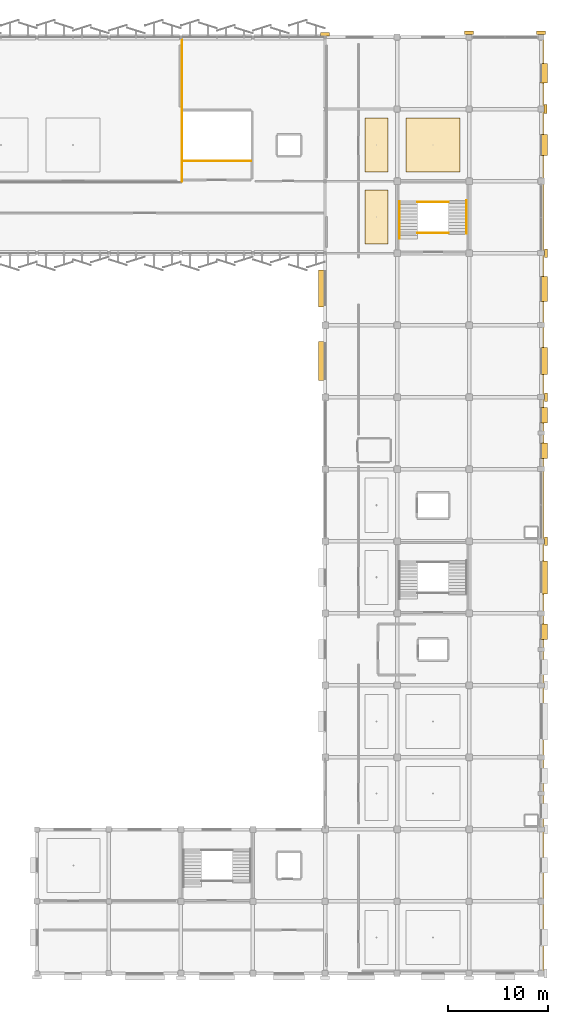
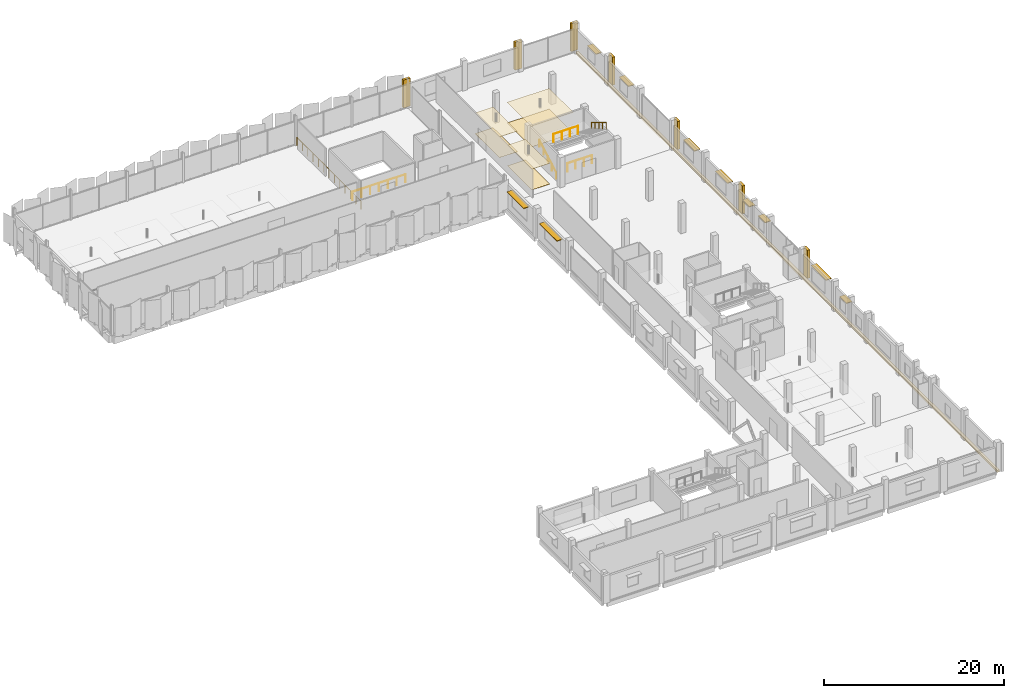
# One storey, part 77 of 77: 14 coverings, 10 shading devices, 6 railings.
"""IFC4 building model written with IfcOpenShell, lengths in metres."""

from ifc_helpers import new_model, si_unit, direction, frame, origin, origin_2d, place, context, subcontext, project, spatial, polyline, rectangle, circle, outline, extrude, material, layer, layer_set, type_object, element, save


model = new_model("IFC4")

# Units and contexts
model_context = context("Model", 3, precision=1e-05, world=origin(), true_north=direction((0.0, 1.0)))
body_context = subcontext(model_context, "Body", "Model", "MODEL_VIEW")
ifc_project = project(units=[si_unit("LENGTHUNIT", "METRE"), si_unit("AREAUNIT", "SQUARE_METRE"), si_unit("VOLUMEUNIT", "CUBIC_METRE"), si_unit("PLANEANGLEUNIT", "RADIAN"), si_unit("MASSUNIT", "GRAM", prefix="KILO")], contexts=[model_context])

# Site, building, storey
site_placement = place(None, origin())
site = spatial("IfcSite", under=ifc_project, at=site_placement, CompositionType="ELEMENT")
building_placement = place(site_placement, origin())
building = spatial("IfcBuilding", under=site, at=building_placement, Name="Kangsadwip Square Police Headquarters", CompositionType="ELEMENT")
storey_placement = place(building_placement, frame((0.0, 0.0, 17.550048828125)))
storey = spatial("IfcBuildingStorey", under=building, at=storey_placement, Name="L04", CompositionType="ELEMENT", Elevation=17.550048828125)

# Railings
ifc_material_1 = material(Name="Structural steel IS 2062 E250 (Grade 250, 250 MPa)", Category="steel")
railing_type_1 = type_object("IfcRailingType", Name="BalustradeGuard1100", PredefinedType="BALUSTRADE", material=ifc_material_1)
for number, where, name in (
    (1, (153.22998046875, 95.639892578125, 0.0), "Stair Guard ST-04 L04-122"),
    (2, (153.22998046875, 98.719970703125, 2.10595703125), "Stair Guard ST-04 L04-123"),
):
    element("IfcRailing", number, at=place(storey_placement, frame(where)), inside=storey, type_object=railing_type_1, Name=name, PredefinedType="BALUSTRADE", context=body_context, shape_type="SweptSolid", body=[
        extrude(circle(Radius=0.02392578125, at=origin_2d()), frame((0.0, 0.0, 1.09619140625), z_axis=(1.0, 0.0, 0.0), x_axis=(0.0, 1.0, 0.0)), (0.0, 0.0, 1.0), 3.14013671875),
        extrude(circle(Radius=0.02099609375, at=origin_2d()), origin(), (0.0, 0.0, 1.0), 1.072021484375),
        extrude(circle(Radius=0.02099609375, at=origin_2d()), frame((1.046630859375, 0.0, 0.0)), (0.0, 0.0, 1.0), 1.072021484375),
        extrude(circle(Radius=0.02099609375, at=origin_2d()), frame((2.093505859375, 0.0, 0.0)), (0.0, 0.0, 1.0), 1.072021484375),
        extrude(circle(Radius=0.02099609375, at=origin_2d()), frame((3.14013671875, 0.0, 0.0)), (0.0, 0.0, 1.0), 1.072021484375),
    ])
railing_1_placement = place(storey_placement, frame((129.800048828125, 102.800048828125, 0.0)))
element("IfcRailing", 3, at=railing_1_placement, inside=storey, type_object=railing_type_1, Name="Top Stairwell Guard ST-05 L04", PredefinedType="BALUSTRADE", context=body_context, shape_type="SweptSolid", body=[
    extrude(circle(Radius=0.02392578125, at=origin_2d()), frame((0.0, 0.0, 1.09619140625), z_axis=(1.0, 0.0, 0.0), x_axis=(0.0, 1.0, 0.0)), (0.0, 0.0, 1.0), 6.800048828125),
    extrude(circle(Radius=0.02099609375, at=origin_2d()), origin(), (0.0, 0.0, 1.0), 1.072021484375),
    extrude(circle(Radius=0.02099609375, at=origin_2d()), frame((1.13330078125, 0.0, 0.0)), (0.0, 0.0, 1.0), 1.072021484375),
    extrude(circle(Radius=0.02099609375, at=origin_2d()), frame((2.2666015625, 0.0, 0.0)), (0.0, 0.0, 1.0), 1.072021484375),
    extrude(circle(Radius=0.02099609375, at=origin_2d()), frame((3.39990234375, 0.0, 0.0)), (0.0, 0.0, 1.0), 1.072021484375),
    extrude(circle(Radius=0.02099609375, at=origin_2d()), frame((4.533447265625, 0.0, 0.0)), (0.0, 0.0, 1.0), 1.072021484375),
    extrude(circle(Radius=0.02099609375, at=origin_2d()), frame((5.666748046875, 0.0, 0.0)), (0.0, 0.0, 1.0), 1.072021484375),
    extrude(circle(Radius=0.02099609375, at=origin_2d()), frame((6.800048828125, 0.0, 0.0)), (0.0, 0.0, 1.0), 1.072021484375),
])
railing_2_placement = place(storey_placement, frame((129.719970703125, 100.75, 0.0)))
element("IfcRailing", 4, at=railing_2_placement, inside=storey, type_object=railing_type_1, Name="Atrium Gallery Balustrade GR-GAL-VOL2-E", PredefinedType="BALUSTRADE", context=body_context, shape_type="SweptSolid", body=[
    extrude(circle(Radius=0.02392578125, at=origin_2d()), frame((0.0, 0.0, 1.09619140625), z_axis=(0.0, 1.0, 0.0), x_axis=(-1.0, 0.0, 0.0)), (0.0, 0.0, 1.0), 14.25),
    extrude(circle(Radius=0.02099609375, at=origin_2d()), origin(), (0.0, 0.0, 1.0), 1.072021484375),
    extrude(circle(Radius=0.02099609375, at=origin_2d()), frame((0.0, 1.1875, 0.0)), (0.0, 0.0, 1.0), 1.072021484375),
    extrude(circle(Radius=0.02099609375, at=origin_2d()), frame((0.0, 2.375, 0.0)), (0.0, 0.0, 1.0), 1.072021484375),
    extrude(circle(Radius=0.02099609375, at=origin_2d()), frame((0.0, 3.5625, 0.0)), (0.0, 0.0, 1.0), 1.072021484375),
    extrude(circle(Radius=0.02099609375, at=origin_2d()), frame((0.0, 4.75, 0.0)), (0.0, 0.0, 1.0), 1.072021484375),
    extrude(circle(Radius=0.02099609375, at=origin_2d()), frame((0.0, 5.9375, 0.0)), (0.0, 0.0, 1.0), 1.072021484375),
    extrude(circle(Radius=0.02099609375, at=origin_2d()), frame((0.0, 7.125, 0.0)), (0.0, 0.0, 1.0), 1.072021484375),
    extrude(circle(Radius=0.02099609375, at=origin_2d()), frame((0.0, 8.3125, 0.0)), (0.0, 0.0, 1.0), 1.072021484375),
    extrude(circle(Radius=0.02099609375, at=origin_2d()), frame((0.0, 9.5, 0.0)), (0.0, 0.0, 1.0), 1.072021484375),
    extrude(circle(Radius=0.02099609375, at=origin_2d()), frame((0.0, 10.6875, 0.0)), (0.0, 0.0, 1.0), 1.072021484375),
    extrude(circle(Radius=0.02099609375, at=origin_2d()), frame((0.0, 11.875, 0.0)), (0.0, 0.0, 1.0), 1.072021484375),
    extrude(circle(Radius=0.02099609375, at=origin_2d()), frame((0.0, 13.0625, 0.0)), (0.0, 0.0, 1.0), 1.072021484375),
    extrude(circle(Radius=0.02099609375, at=origin_2d()), frame((0.0, 14.25, 0.0)), (0.0, 0.0, 1.0), 1.072021484375),
])

# Coverings
ifc_material_2 = material(Name="Seamless anti-static epoxy and polished Kota stone interior flooring", Category="masonry")
ifc_layer_1 = layer(ifc_material_2, 0.02001953125)
ifc_layer_set_1 = layer_set([ifc_layer_1], Name="Seamless anti-static epoxy and polished Kota stone interior flooring")
covering_type_1 = type_object("IfcCoveringType", Name="InteriorStoneEpoxyFloor", PredefinedType="FLOORING", material=ifc_layer_set_1)
covering_1_placement = place(storey_placement, origin())
element("IfcCovering", 5, at=covering_1_placement, inside=storey, type_object=covering_type_1, Name="Interior Floor Finish L04-140", PredefinedType="FLOORING", context=body_context, shape_type="SweptSolid", body=[
    extrude(outline(polyline([(148.0, 94.5), (150.300048828125, 94.5), (150.300048828125, 99.89990234375), (148.0, 99.89990234375), (148.0, 94.5)])), origin(), (0.0, 0.0, 1.0), 0.02001953125),
])
covering_2_placement = place(storey_placement, origin())
element("IfcCovering", 6, at=covering_2_placement, inside=storey, type_object=covering_type_1, Name="Interior Floor Finish L04-141", PredefinedType="FLOORING", context=body_context, shape_type="SweptSolid", body=[
    extrude(outline(polyline([(148.0, 101.699951171875), (150.300048828125, 101.699951171875), (150.300048828125, 107.10009765625), (148.0, 107.10009765625), (148.0, 101.699951171875)])), origin(), (0.0, 0.0, 1.0), 0.02001953125),
])
covering_3_placement = place(storey_placement, origin())
element("IfcCovering", 7, at=covering_3_placement, inside=storey, type_object=covering_type_1, Name="Interior Floor Finish L04-142", PredefinedType="FLOORING", context=body_context, shape_type="SweptSolid", body=[
    extrude(outline(polyline([(152.10009765625, 101.699951171875), (157.5, 101.699951171875), (157.5, 107.10009765625), (152.10009765625, 107.10009765625), (152.10009765625, 101.699951171875)])), origin(), (0.0, 0.0, 1.0), 0.02001953125),
])

# Railings
ifc_material_3 = material(Name="Structural steel IS 2062 E250 (Grade 250, 250 MPa)", Category="steel")
railing_type_2 = type_object("IfcRailingType", Name="StairPitchHandrail900", PredefinedType="HANDRAIL", material=ifc_material_3)
railing_3_placement = place(storey_placement, frame((151.43994140625, 95.0400390625, 0.0)))
element("IfcRailing", 8, at=railing_3_placement, inside=storey, type_object=railing_type_2, Name="Stair Handrail ST-04 L04-124", PredefinedType="HANDRAIL", context=body_context, shape_type="SweptSolid", body=[
    extrude(circle(Radius=0.02392578125, at=origin_2d()), frame((0.0, 0.0, 0.8759765625), z_axis=(0.0, 0.870225440575, 0.492653714668), x_axis=(-1.0, 0.0, 0.0)), (0.0, 0.0, 1.0), 4.274658203125),
    extrude(circle(Radius=0.02099609375, at=origin_2d()), origin(), (0.0, 0.0, 1.0), 0.851806640625),
    extrude(circle(Radius=0.02099609375, at=origin_2d()), frame((0.0, 0.929931640625, 0.5263671875)), (0.0, 0.0, 1.0), 0.851806640625),
    extrude(circle(Radius=0.02099609375, at=origin_2d()), frame((0.0, 1.85986328125, 1.052978515625)), (0.0, 0.0, 1.0), 0.851806640625),
    extrude(circle(Radius=0.02099609375, at=origin_2d()), frame((0.0, 2.7900390625, 1.57958984375)), (0.0, 0.0, 1.0), 0.851806640625),
    extrude(circle(Radius=0.02099609375, at=origin_2d()), frame((0.0, 3.719970703125, 2.10595703125)), (0.0, 0.0, 1.0), 0.851806640625),
])
railing_4_placement = place(storey_placement, frame((158.159912109375, 98.860107421875, 2.10595703125)))
element("IfcRailing", 9, at=railing_4_placement, inside=storey, type_object=railing_type_2, Name="Stair Handrail ST-04 L04-125", PredefinedType="HANDRAIL", context=body_context, shape_type="SweptSolid", body=[
    extrude(circle(Radius=0.02392578125, at=origin_2d()), frame((0.0, 0.0, 0.8759765625), z_axis=(0.0, -0.860248887005, 0.509874349626), x_axis=(1.0, 0.0, 0.0)), (0.0, 0.0, 1.0), 3.81298828125),
    extrude(circle(Radius=0.02099609375, at=origin_2d()), origin(), (0.0, 0.0, 1.0), 0.851806640625),
    extrude(circle(Radius=0.02099609375, at=origin_2d()), frame((0.0, -0.820068359375, 0.486083984375)), (0.0, 0.0, 1.0), 0.851806640625),
    extrude(circle(Radius=0.02099609375, at=origin_2d()), frame((0.0, -1.64013671875, 0.97216796875)), (0.0, 0.0, 1.0), 0.851806640625),
    extrude(circle(Radius=0.02099609375, at=origin_2d()), frame((0.0, -2.4599609375, 1.4580078125)), (0.0, 0.0, 1.0), 0.851806640625),
    extrude(circle(Radius=0.02099609375, at=origin_2d()), frame((0.0, -3.280029296875, 1.944091796875)), (0.0, 0.0, 1.0), 0.851806640625),
])

# Coverings
ifc_material_4 = material(Name="Perforated mineral-fibre and acoustic baffle suspended ceiling", Category="wood")
ifc_layer_2 = layer(ifc_material_4, 0.02490234375)
ifc_layer_set_2 = layer_set([ifc_layer_2], Name="Perforated mineral-fibre and acoustic baffle suspended ceiling")
covering_type_2 = type_object("IfcCoveringType", Name="SuspendedAcousticCeiling", PredefinedType="CEILING", material=ifc_layer_set_2)
covering_4_placement = place(storey_placement, frame((0.0, 0.0, 2.800048828125)))
element("IfcCovering", 10, at=covering_4_placement, inside=storey, type_object=covering_type_2, Name="Suspended Acoustic Ceiling L04-140", PredefinedType="CEILING", context=body_context, shape_type="SweptSolid", body=[
    extrude(outline(polyline([(148.0, 94.5), (150.300048828125, 94.5), (150.300048828125, 99.89990234375), (148.0, 99.89990234375), (148.0, 94.5)])), origin(), (0.0, 0.0, 1.0), 0.02490234375),
])
covering_5_placement = place(storey_placement, frame((0.0, 0.0, 2.800048828125)))
element("IfcCovering", 11, at=covering_5_placement, inside=storey, type_object=covering_type_2, Name="Suspended Acoustic Ceiling L04-141", PredefinedType="CEILING", context=body_context, shape_type="SweptSolid", body=[
    extrude(outline(polyline([(148.0, 101.699951171875), (150.300048828125, 101.699951171875), (150.300048828125, 107.10009765625), (148.0, 107.10009765625), (148.0, 101.699951171875)])), origin(), (0.0, 0.0, 1.0), 0.02490234375),
])
covering_6_placement = place(storey_placement, frame((0.0, 0.0, 2.800048828125)))
element("IfcCovering", 12, at=covering_6_placement, inside=storey, type_object=covering_type_2, Name="Suspended Acoustic Ceiling L04-142", PredefinedType="CEILING", context=body_context, shape_type="SweptSolid", body=[
    extrude(outline(polyline([(152.10009765625, 101.699951171875), (157.5, 101.699951171875), (157.5, 107.10009765625), (152.10009765625, 107.10009765625), (152.10009765625, 101.699951171875)])), origin(), (0.0, 0.0, 1.0), 0.02490234375),
])
ifc_material_5 = material(Name="Glazed architectural terracotta masonry rainscreen", Category="masonry")
ifc_layer_3 = layer(ifc_material_5, 0.034912109375)
ifc_layer_set_3 = layer_set([ifc_layer_3], Name="Glazed architectural terracotta masonry rainscreen")
covering_type_3 = type_object("IfcCoveringType", Name="TerracottaPierCladding", PredefinedType="CLADDING", material=ifc_layer_set_3)
covering_7_placement = place(storey_placement, origin())
element("IfcCovering", 13, at=covering_7_placement, inside=storey, type_object=covering_type_3, Name="Terracotta Pier Cladding L04-113", PredefinedType="CLADDING", context=body_context, shape_type="SweptSolid", body=[
    extrude(outline(polyline([(165.929931640625, 64.360107421875), (166.25, 64.360107421875), (166.25, 65.239990234375), (165.929931640625, 65.239990234375), (165.929931640625, 64.360107421875)])), origin(), (0.0, 0.0, 1.0), 3.800048828125),
])
covering_8_placement = place(storey_placement, origin())
element("IfcCovering", 14, at=covering_8_placement, inside=storey, type_object=covering_type_3, Name="Terracotta Pier Cladding L04-114", PredefinedType="CLADDING", context=body_context, shape_type="SweptSolid", body=[
    extrude(outline(polyline([(165.929931640625, 78.760009765625), (166.25, 78.760009765625), (166.25, 79.639892578125), (165.929931640625, 79.639892578125), (165.929931640625, 78.760009765625)])), origin(), (0.0, 0.0, 1.0), 3.800048828125),
])
covering_9_placement = place(storey_placement, origin())
element("IfcCovering", 15, at=covering_9_placement, inside=storey, type_object=covering_type_3, Name="Terracotta Pier Cladding L04-115", PredefinedType="CLADDING", context=body_context, shape_type="SweptSolid", body=[
    extrude(outline(polyline([(165.929931640625, 93.159912109375), (166.25, 93.159912109375), (166.25, 94.0400390625), (165.929931640625, 94.0400390625), (165.929931640625, 93.159912109375)])), origin(), (0.0, 0.0, 1.0), 3.800048828125),
])
covering_10_placement = place(storey_placement, origin())
element("IfcCovering", 16, at=covering_10_placement, inside=storey, type_object=covering_type_3, Name="Terracotta Pier Cladding L04-116", PredefinedType="CLADDING", context=body_context, shape_type="SweptSolid", body=[
    extrude(outline(polyline([(165.8798828125, 107.56005859375), (166.199951171875, 107.56005859375), (166.199951171875, 108.43994140625), (165.8798828125, 108.43994140625), (165.8798828125, 107.56005859375)])), origin(), (0.0, 0.0, 1.0), 3.800048828125),
])
covering_11_placement = place(storey_placement, origin())
element("IfcCovering", 17, at=covering_11_placement, inside=storey, type_object=covering_type_3, Name="Terracotta Pier Cladding L04-117", PredefinedType="CLADDING", context=body_context, shape_type="SweptSolid", body=[
    extrude(outline(polyline([(143.56005859375, 115.330078125), (144.43994140625, 115.330078125), (144.43994140625, 115.64990234375), (143.56005859375, 115.64990234375), (143.56005859375, 115.330078125)])), origin(), (0.0, 0.0, 1.0), 3.800048828125),
])
covering_12_placement = place(storey_placement, origin())
element("IfcCovering", 18, at=covering_12_placement, inside=storey, type_object=covering_type_3, Name="Terracotta Pier Cladding L04-118", PredefinedType="CLADDING", context=body_context, shape_type="SweptSolid", body=[
    extrude(outline(polyline([(157.9599609375, 115.47998046875), (158.840087890625, 115.47998046875), (158.840087890625, 115.800048828125), (157.9599609375, 115.800048828125), (157.9599609375, 115.47998046875)])), origin(), (0.0, 0.0, 1.0), 3.800048828125),
])
covering_13_placement = place(storey_placement, origin())
element("IfcCovering", 19, at=covering_13_placement, inside=storey, type_object=covering_type_3, Name="Terracotta Pier Cladding L04-119", PredefinedType="CLADDING", context=body_context, shape_type="SweptSolid", body=[
    extrude(outline(polyline([(165.159912109375, 115.47998046875), (166.0400390625, 115.47998046875), (166.0400390625, 115.800048828125), (165.159912109375, 115.800048828125), (165.159912109375, 115.47998046875)])), origin(), (0.0, 0.0, 1.0), 3.800048828125),
])
covering_14_placement = place(storey_placement, frame((0.0, 0.0, -0.239990234375)))
element("IfcCovering", 20, at=covering_14_placement, inside=storey, type_object=covering_type_3, Name="Terracotta Cornice Belt L04-158", PredefinedType="CLADDING", context=body_context, shape_type="SweptSolid", body=[
    extrude(outline(polyline([(165.580078125, 21.60009765625), (165.89990234375, 21.60009765625), (165.89990234375, 115.199951171875), (165.580078125, 115.199951171875), (165.580078125, 21.60009765625)])), origin(), (0.0, 0.0, 1.0), 0.260009765625),
])

# Shading devices
ifc_material_6 = material(Name="Architectural terracotta and anodised aluminium AW-6061-T6", Category="aluminium")
shading_device_type = type_object("IfcShadingDeviceType", Name="TerracottaChhajjaAwning", PredefinedType="AWNING", material=ifc_material_6)
shading_device_1_placement = place(storey_placement, frame((143.699951171875, 82.800048828125, 2.9150390625), z_axis=(0.0, 0.0, 1.0), x_axis=(0.0, 1.0, 0.0)))
element("IfcShadingDevice", 21, at=shading_device_1_placement, inside=storey, type_object=shading_device_type, Name="Terracotta Chhajja Hood CHJ-L04-0240", PredefinedType="AWNING", context=body_context, shape_type="SweptSolid", body=[
    extrude(rectangle(XDim=3.89990234375, YDim=0.719970703125, at=origin_2d()), origin(), (0.0, 0.0, 1.0), 0.090087890625),
])
shading_device_2_placement = place(storey_placement, frame((143.699951171875, 90.08349609375, 2.86474609375), z_axis=(0.0, 0.0, 1.0), x_axis=(0.0, 1.0, 0.0)))
element("IfcShadingDevice", 22, at=shading_device_2_placement, inside=storey, type_object=shading_device_type, Name="Terracotta Chhajja Hood CHJ-L04-0241", PredefinedType="AWNING", context=body_context, shape_type="SweptSolid", body=[
    extrude(rectangle(XDim=3.699951171875, YDim=0.719970703125, at=origin_2d()), origin(), (0.0, 0.0, 1.0), 0.090087890625),
])
shading_device_3_placement = place(storey_placement, frame((165.89990234375, 55.77490234375, 2.36474609375), z_axis=(0.0, 0.0, 1.0), x_axis=(0.0, 1.0, 0.0)))
element("IfcShadingDevice", 23, at=shading_device_3_placement, inside=storey, type_object=shading_device_type, Name="Terracotta Chhajja Hood CHJ-L04-0248", PredefinedType="AWNING", context=body_context, shape_type="SweptSolid", body=[
    extrude(rectangle(XDim=1.550048828125, YDim=0.719970703125, at=origin_2d()), origin(), (0.0, 0.0, 1.0), 0.090087890625),
])
shading_device_4_placement = place(storey_placement, frame((165.89990234375, 61.199951171875, 2.76513671875), z_axis=(0.0, 0.0, 1.0), x_axis=(0.0, 1.0, 0.0)))
element("IfcShadingDevice", 24, at=shading_device_4_placement, inside=storey, type_object=shading_device_type, Name="Terracotta Chhajja Hood CHJ-L04-0249", PredefinedType="AWNING", context=body_context, shape_type="SweptSolid", body=[
    extrude(rectangle(XDim=3.300048828125, YDim=0.719970703125, at=origin_2d()), origin(), (0.0, 0.0, 1.0), 0.090087890625),
])
for number, where, z_axis, x_axis, name in (
    (25, (165.89990234375, 73.824951171875, 2.36474609375), (0.0, 0.0, 1.0), (0.0, 1.0, 0.0), "Terracotta Chhajja Hood CHJ-L04-0250"),
    (26, (165.89990234375, 77.375, 2.36474609375), (0.0, 0.0, 1.0), (0.0, 1.0, 0.0), "Terracotta Chhajja Hood CHJ-L04-0251"),
):
    element("IfcShadingDevice", number, at=place(storey_placement, frame(where, z_axis=z_axis, x_axis=x_axis)), inside=storey, type_object=shading_device_type, Name=name, PredefinedType="AWNING", context=body_context, shape_type="SweptSolid", body=[
        extrude(rectangle(XDim=1.550048828125, YDim=0.719970703125, at=origin_2d()), origin(), (0.0, 0.0, 1.0), 0.090087890625),
    ])
shading_device_5_placement = place(storey_placement, frame((165.89990234375, 82.800048828125, 2.61474609375), z_axis=(0.0, 0.0, 1.0), x_axis=(0.0, 1.0, 0.0)))
element("IfcShadingDevice", 27, at=shading_device_5_placement, inside=storey, type_object=shading_device_type, Name="Terracotta Chhajja Hood CHJ-L04-0252", PredefinedType="AWNING", context=body_context, shape_type="SweptSolid", body=[
    extrude(rectangle(XDim=2.699951171875, YDim=0.719970703125, at=origin_2d()), origin(), (0.0, 0.0, 1.0), 0.090087890625),
])
shading_device_6_placement = place(storey_placement, frame((165.89990234375, 90.0, 2.56494140625), z_axis=(0.0, 0.0, 1.0), x_axis=(0.0, 1.0, 0.0)))
element("IfcShadingDevice", 28, at=shading_device_6_placement, inside=storey, type_object=shading_device_type, Name="Terracotta Chhajja Hood CHJ-L04-0253", PredefinedType="AWNING", context=body_context, shape_type="SweptSolid", body=[
    extrude(rectangle(XDim=2.5, YDim=0.719970703125, at=origin_2d()), origin(), (0.0, 0.0, 1.0), 0.090087890625),
])
shading_device_7_placement = place(storey_placement, frame((165.89990234375, 104.41259765625, 2.46484375), z_axis=(0.0, 0.0, 1.0), x_axis=(0.0, 1.0, 0.0)))
element("IfcShadingDevice", 29, at=shading_device_7_placement, inside=storey, type_object=shading_device_type, Name="Terracotta Chhajja Hood CHJ-L04-0254", PredefinedType="AWNING", context=body_context, shape_type="SweptSolid", body=[
    extrude(rectangle(XDim=2.10009765625, YDim=0.719970703125, at=origin_2d()), origin(), (0.0, 0.0, 1.0), 0.090087890625),
])
shading_device_8_placement = place(storey_placement, frame((165.89990234375, 111.60009765625, 2.4150390625), z_axis=(0.0, 0.0, 1.0), x_axis=(0.0, 1.0, 0.0)))
element("IfcShadingDevice", 30, at=shading_device_8_placement, inside=storey, type_object=shading_device_type, Name="Terracotta Chhajja Hood CHJ-L04-0255", PredefinedType="AWNING", context=body_context, shape_type="SweptSolid", body=[
    extrude(rectangle(XDim=1.949951171875, YDim=0.719970703125, at=origin_2d()), origin(), (0.0, 0.0, 1.0), 0.090087890625),
])

save(model, "model.ifc")
